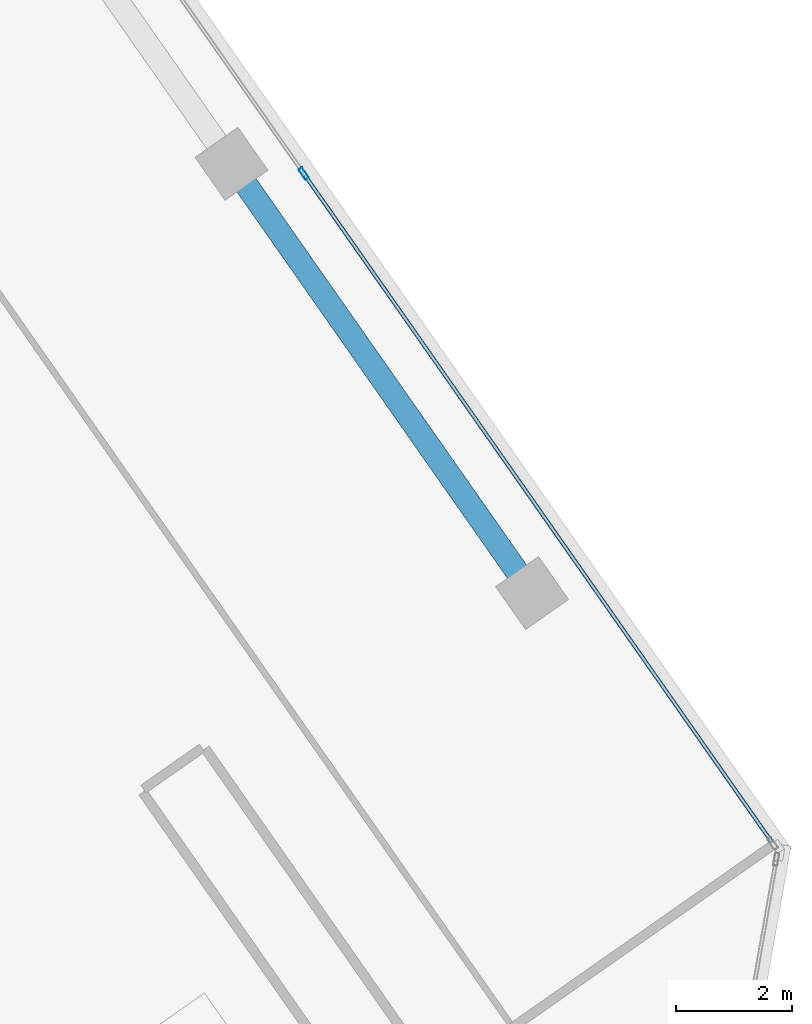
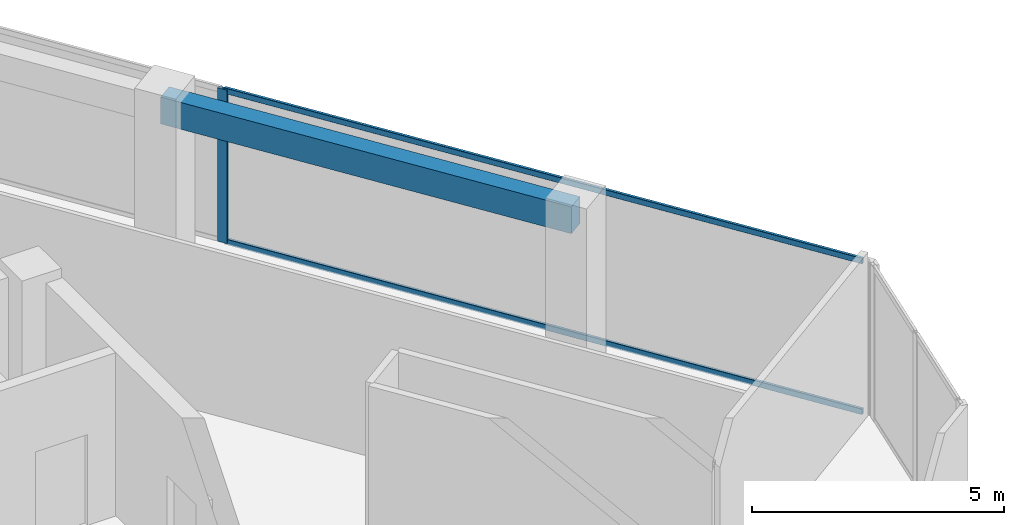
# One storey, part 8 of 17: 3 members, 1 beam, 1 element without a shape of its own.
"""IFC4 building model written with IfcOpenShell, lengths in metres."""

import ifcopenshell
import ifcopenshell.guid

model = None  # the IFC model being written
_history = None  # IfcOwnerHistory: only IFC2X3 demands one
_inside = {}  # id of a spatial element -> (the spatial element, [elements in it])
_under = {}  # id of a project, library or spatial element -> (it, [spatial elements below it])
_declared = {}  # id of a project -> (the project, [libraries it declares])
_typed = {}  # id of a type object -> (the type object, [elements of that type])
_made_of = {}  # id of a material, layer set ... -> (it, [elements and type objects made of it])


def new_model(schema):
    """Start an empty IFC model of exactly this schema.

    Asked for "IFC4X3", IfcOpenShell would pick the latest addendum, in which some entities
    have other attributes; the version numbers below select the first issue.
    IFC2X3 requires an IfcOwnerHistory on every rooted entity: one is made here for all.
    """
    global model, _history
    if schema == "IFC4X3":
        model = ifcopenshell.file(schema_version=(4, 3, 0, 0))
    else:
        model = ifcopenshell.file(schema=schema)
    _inside.clear()
    _under.clear()
    _declared.clear()
    _typed.clear()
    _made_of.clear()
    _history = None
    if model.schema == "IFC2X3":
        org = make("IfcOrganization", Name="unknown")
        user = make(
            "IfcPersonAndOrganization",
            ThePerson=make("IfcPerson", FamilyName="unknown"),
            TheOrganization=org,
        )
        app = make(
            "IfcApplication",
            ApplicationDeveloper=org,
            Version="unknown",
            ApplicationFullName="unknown",
            ApplicationIdentifier="unknown",
        )
        _history = make(
            "IfcOwnerHistory",
            OwningUser=user,
            OwningApplication=app,
            ChangeAction="ADDED",
            CreationDate=0,
        )
    return model


def make(cls, **values):
    """One entity of the class cls with the attributes given. An attribute that is None is left unset."""
    return model.create_entity(
        cls, **{name: value for name, value in values.items() if value is not None}
    )


def rooted(cls, **values):
    """An entity with a GlobalId (a new one), such as an element, a storey or a relation."""
    return make(cls, GlobalId=ifcopenshell.guid.new(), OwnerHistory=_history, **values)


def si_unit(unit_type, name, prefix=None):
    """IfcSIUnit, for example si_unit("LENGTHUNIT", "METRE", prefix="MILLI")."""
    return make("IfcSIUnit", UnitType=unit_type, Prefix=prefix, Name=name)


def assignment(units):
    """IfcUnitAssignment: the units of a project."""
    return None if units is None else make("IfcUnitAssignment", Units=units)


def point(xyz):
    """IfcCartesianPoint."""
    return None if xyz is None else make("IfcCartesianPoint", Coordinates=xyz)


def direction(xyz):
    """IfcDirection."""
    return None if xyz is None else make("IfcDirection", DirectionRatios=xyz)


def frame(location, z_axis=None, x_axis=None):
    """IfcAxis2Placement3D, a coordinate frame: its origin and axes. An axis left out is left unset."""
    return make(
        "IfcAxis2Placement3D",
        Location=point(location),
        Axis=direction(z_axis),
        RefDirection=direction(x_axis),
    )


def frame_2d(location, x_axis=None):
    """IfcAxis2Placement2D, a coordinate frame in the plane: its origin and x axis."""
    return make(
        "IfcAxis2Placement2D", Location=point(location), RefDirection=direction(x_axis)
    )


def origin():
    """The frame at (0, 0, 0) with its axes left unset."""
    return frame((0.0, 0.0, 0.0))


def origin_2d():
    """The frame at (0, 0) in the plane with its x axis left unset."""
    return frame_2d((0.0, 0.0))


def place(relative_to, where):
    """IfcLocalPlacement: puts the frame where relative to a parent placement (None: the world)."""
    return make(
        "IfcLocalPlacement", PlacementRelTo=relative_to, RelativePlacement=where
    )


def context(
    kind, dimensions, precision=None, world=None, true_north=None, identifier=None
):
    """IfcGeometricRepresentationContext, for example the 3D "Model" context."""
    return make(
        "IfcGeometricRepresentationContext",
        ContextIdentifier=identifier,
        ContextType=kind,
        CoordinateSpaceDimension=dimensions,
        Precision=precision,
        WorldCoordinateSystem=world,
        TrueNorth=true_north,
    )


def subcontext(parent, identifier, kind, view, scale=None):
    """IfcGeometricRepresentationSubContext, for example "Body" below "Model"."""
    return make(
        "IfcGeometricRepresentationSubContext",
        ContextIdentifier=identifier,
        ContextType=kind,
        ParentContext=parent,
        TargetScale=scale,
        TargetView=view,
    )


def project(units=None, contexts=None):
    """IfcProject with its units and contexts."""
    return rooted(
        "IfcProject",
        Name="project",
        RepresentationContexts=contexts,
        UnitsInContext=assignment(units),
    )


def spatial(cls, under=None, at=None, **own):
    """A site, building, storey or space (cls), placed at a placement, below another one or the project."""
    s = rooted(cls, ObjectPlacement=at, **own)
    if under is not None:
        _under.setdefault(under.id(), (under, []))[1].append(s)
    return s


def profile(cls, at=None, kind="AREA", **sizes):
    """A parametric profile (cls). Its sizes go by their IFC names, for example OverallWidth=200.0."""
    return make(cls, ProfileType=kind, Position=at, **sizes)


def rectangle(**sizes):
    """IfcRectangleProfileDef."""
    return profile("IfcRectangleProfileDef", **sizes)


def hollow_rectangle(**sizes):
    """IfcRectangleHollowProfileDef."""
    return profile("IfcRectangleHollowProfileDef", **sizes)


def extrude(swept, where, along, depth):
    """IfcExtrudedAreaSolid: the profile swept, set in the frame where, extruded along a direction by depth."""
    return make(
        "IfcExtrudedAreaSolid",
        SweptArea=swept,
        Position=where,
        ExtrudedDirection=direction(along),
        Depth=depth,
    )


def shape(context_of_items, identifier, shape_type, items):
    """IfcShapeRepresentation: the items that make up one representation, for example the "Body"."""
    return make(
        "IfcShapeRepresentation",
        ContextOfItems=context_of_items,
        RepresentationIdentifier=identifier,
        RepresentationType=shape_type,
        Items=items,
    )


def source(mapping_origin, context_of_items, identifier, shape_type, items):
    """IfcRepresentationMap: a shape defined once, which mapped items show again and again."""
    return make(
        "IfcRepresentationMap",
        MappingOrigin=mapping_origin,
        MappedRepresentation=shape(context_of_items, identifier, shape_type, items),
    )


def transform(
    local_origin,
    x_axis=None,
    y_axis=None,
    z_axis=None,
    scale=None,
    scale2=None,
    scale3=None,
    uniform=True,
):
    """IfcCartesianTransformationOperator3D, or its non-uniform kind. x_axis, y_axis, z_axis: its Axis1, 2, 3."""
    if uniform:
        return make(
            "IfcCartesianTransformationOperator3D",
            Axis1=direction(x_axis),
            Axis2=direction(y_axis),
            LocalOrigin=point(local_origin),
            Scale=scale,
            Axis3=direction(z_axis),
        )
    return make(
        "IfcCartesianTransformationOperator3DnonUniform",
        Axis1=direction(x_axis),
        Axis2=direction(y_axis),
        LocalOrigin=point(local_origin),
        Scale=scale,
        Axis3=direction(z_axis),
        Scale2=scale2,
        Scale3=scale3,
    )


def mapped(mapping_source, mapping_target):
    """IfcMappedItem: shows the shape of a source again, moved by a transform."""
    return make(
        "IfcMappedItem", MappingSource=mapping_source, MappingTarget=mapping_target
    )


def material(Name=None, Category=None):
    """IfcMaterial."""
    return make("IfcMaterial", Name=Name, Category=Category)


def material_profile(
    of_material, cross_section, Name=None, Category=None, Priority=None
):
    """IfcMaterialProfile: a cross section and its material."""
    return make(
        "IfcMaterialProfile",
        Name=Name,
        Material=of_material,
        Profile=cross_section,
        Priority=Priority,
        Category=Category,
    )


def profile_set(profiles, Name=None, composite=None):
    """IfcMaterialProfileSet."""
    return make(
        "IfcMaterialProfileSet",
        Name=Name,
        MaterialProfiles=profiles,
        CompositeProfile=composite,
    )


def made_of(thing, what):
    """Note that an element or type object is made of a material, layer set ...; save() writes the relation."""
    if what is not None:
        _made_of.setdefault(what.id(), (what, []))[1].append(thing)
    return thing


def type_object(cls, material=None, **own):
    """A type object (cls), such as IfcWallType, which elements share."""
    return made_of(rooted(cls, **own), material)


def element(
    cls,
    number,
    at=None,
    inside=None,
    cuts=None,
    type_object=None,
    material=None,
    context=None,
    identifier="Body",
    shape_type=None,
    held_by="IfcProductDefinitionShape",
    body=None,
    shapes=None,
    **own,
):
    """One element of the class cls, such as IfcWall. Its Tag is "e" and its number.

    at: its placement. inside: the storey or other place that contains it. cuts: it is an
    opening in that element (IfcRelVoidsElement). A single representation is given by context,
    identifier, shape_type and body (its items); several are given by shapes. held_by: the class
    of the entity that holds the representations. save() writes the other relations.
    """
    e = rooted(cls, Tag="e%d" % number, ObjectPlacement=at, **own)
    if body is not None:
        shapes = [shape(context, identifier, shape_type, body)]
    if shapes is not None:
        e.Representation = make(held_by, Representations=shapes)
    if inside is not None:
        _inside.setdefault(inside.id(), (inside, []))[1].append(e)
    if cuts is not None:
        rooted(
            "IfcRelVoidsElement", RelatingBuildingElement=cuts, RelatedOpeningElement=e
        )
    if type_object is not None:
        _typed.setdefault(type_object.id(), (type_object, []))[1].append(e)
    return made_of(e, material)


def aggregate(whole, parts):
    """IfcRelAggregates: a whole, such as a stair, and the parts it consists of."""
    return rooted("IfcRelAggregates", RelatingObject=whole, RelatedObjects=parts)


def save(model, path):
    """Write the relations noted so far, then the file.

    IfcRelAggregates (storeys below a building ...), IfcRelContainedInSpatialStructure (elements
    in a storey), IfcRelDefinesByType, IfcRelAssociatesMaterial and IfcRelDeclares: one each for
    every whole, place, type object, material and project.
    """
    for whole, parts in _under.values():
        aggregate(whole, parts)
    for where, things in _inside.values():
        rooted(
            "IfcRelContainedInSpatialStructure",
            RelatedElements=things,
            RelatingStructure=where,
        )
    for kind, things in _typed.values():
        rooted("IfcRelDefinesByType", RelatedObjects=things, RelatingType=kind)
    for what, things in _made_of.values():
        rooted("IfcRelAssociatesMaterial", RelatedObjects=things, RelatingMaterial=what)
    for by, libraries in _declared.values():
        rooted("IfcRelDeclares", RelatingContext=by, RelatedDefinitions=libraries)
    model.write(path)


model = new_model("IFC4")

# Units and contexts
model_context = context("Model", 3, precision=1e-05, world=origin(), true_north=direction((0.0, 1.0)))
body_context = subcontext(model_context, "Body", "Model", "MODEL_VIEW")
ifc_project = project(units=[si_unit("LENGTHUNIT", "METRE"), si_unit("AREAUNIT", "SQUARE_METRE"), si_unit("VOLUMEUNIT", "CUBIC_METRE"), si_unit("PLANEANGLEUNIT", "RADIAN"), si_unit("MASSUNIT", "GRAM", prefix="KILO")], contexts=[model_context])

# Site, building, storey
site_placement = place(None, origin())
site = spatial("IfcSite", under=ifc_project, at=site_placement, CompositionType="ELEMENT")
building_placement = place(site_placement, origin())
building = spatial("IfcBuilding", under=site, at=building_placement, Name="Torre Montelarca", CompositionType="ELEMENT")
storey_placement = place(building_placement, frame((0.0, 0.0, 298.800048828125)))
storey = spatial("IfcBuildingStorey", under=building, at=storey_placement, Name="L67", CompositionType="ELEMENT", Elevation=298.800048828125)

# Beam
ifc_material_1 = material(Name="Concrete C40/50", Category="concrete")
ifc_material_profile_1 = material_profile(ifc_material_1, rectangle(XDim=0.39990234375, YDim=0.64990234375, at=origin_2d()), Name="RCB400X650", Category="concrete")
ifc_profile_set_1 = profile_set([ifc_material_profile_1], Name="Concrete C40/50")
beam_type = type_object("IfcBeamType", Name="BM-SP-RC650-EXT", PredefinedType="SPANDREL", material=ifc_profile_set_1)
shared_shape_1 = source(origin(), body_context, "Body", "SweptSolid", [
    extrude(rectangle(XDim=0.39990234375, YDim=0.64990234375, at=origin_2d()), origin(), (0.0, 0.0, 1.0), 9.0),
])
beam_placement = place(storey_placement, frame((31.902587890625, 43.556640625, 3.635009765625), z_axis=(0.573573395961, -0.819154173185, 0.0), x_axis=(0.819154173185, 0.573573395961, 0.0)))
element("IfcBeam", 1, at=beam_placement, inside=storey, type_object=beam_type, Name="L67 Grid Girder X 18.0-27.0 at Y=47.1", PredefinedType="SPANDREL", context=body_context, shape_type="MappedRepresentation", body=[
    mapped(shared_shape_1, transform((0.0, 0.0, 0.0), scale=1.0)),
])

# Curtain wall, members
ifc_material_2 = material(Name="Insulated low-E laminated glass", Category="glass")
curtain_wall_type = type_object("IfcCurtainWallType", Name="CW-SYS-Z4", PredefinedType="USERDEFINED", material=ifc_material_2)
curtain_wall_placement = place(storey_placement, origin())
curtain_wall = element("IfcCurtainWall", 2, at=curtain_wall_placement, inside=storey, type_object=curtain_wall_type, Name="L67 Curtain Wall Run CW-T3-L67-E08-B1", ObjectType="UNITISED GLAZING", PredefinedType="USERDEFINED")
ifc_material_3 = material(Name="Anodised aluminium AA 6063-T6", Category="aluminium")
ifc_material_profile_2 = material_profile(ifc_material_3, hollow_rectangle(XDim=0.074951171875, YDim=0.219970703125, WallThickness=0.0048828125, InnerFilletRadius=0.0048828125, OuterFilletRadius=0.010009765625, at=origin_2d()), Name="ALU75X220X5", Category="aluminium")
ifc_profile_set_2 = profile_set([ifc_material_profile_2], Name="Anodised aluminium AA 6063-T6")
member_type_1 = type_object("IfcMemberType", Name="CWM-ALU220", PredefinedType="MULLION", material=ifc_profile_set_2)
shared_shape_2 = source(origin(), body_context, "Body", "SweptSolid", [
    extrude(hollow_rectangle(XDim=0.074951171875, YDim=0.219970703125, WallThickness=0.0048828125, InnerFilletRadius=0.0048828125, OuterFilletRadius=0.010009765625, at=origin_2d()), origin(), (0.0, 0.0, 1.0), 3.719970703125),
])
member_1_placement = place(storey_placement, frame((33.143798828125, 43.38818359375, 0.0), z_axis=(0.0, 0.0, 1.0), x_axis=(-0.819155860287, -0.573570986503, 0.0)))
member_1 = element("IfcMember", 3, at=member_1_placement, type_object=member_type_1, Name="CW mullion 2", PredefinedType="MULLION", context=body_context, shape_type="MappedRepresentation", body=[
    mapped(shared_shape_2, transform((0.0, 0.0, 0.0), scale=1.0)),
])
ifc_material_profile_3 = material_profile(ifc_material_3, hollow_rectangle(XDim=0.06494140625, YDim=0.139892578125, WallThickness=0.00390625, InnerFilletRadius=0.00390625, OuterFilletRadius=0.008056640625, at=origin_2d()), Name="ALU65X140X4", Category="aluminium")
ifc_profile_set_3 = profile_set([ifc_material_profile_3], Name="Anodised aluminium AA 6063-T6")
member_type_2 = type_object("IfcMemberType", Name="CWT-ALU140", PredefinedType="USERDEFINED", material=ifc_profile_set_3)
shared_shape_3 = source(origin(), body_context, "Body", "SweptSolid", [
    extrude(hollow_rectangle(XDim=0.06494140625, YDim=0.139892578125, WallThickness=0.00390625, InnerFilletRadius=0.00390625, OuterFilletRadius=0.008056640625, at=origin_2d()), origin(), (0.0, 0.0, 1.0), 13.9716796875),
])
member_2_placement = place(storey_placement, frame((41.178955078125, 31.912353515625, 0.032470703125), z_axis=(-0.573564368919, 0.819160493863, 0.0), x_axis=(-0.819160493863, -0.573564368919, 0.0)))
member_2 = element("IfcMember", 4, at=member_2_placement, type_object=member_type_2, Name="CW transom 1.1", ObjectType="TRANSOM", PredefinedType="USERDEFINED", context=body_context, shape_type="MappedRepresentation", body=[
    mapped(shared_shape_3, transform((0.0, 0.0, 0.0), scale=1.0)),
])
member_3_placement = place(storey_placement, frame((41.178955078125, 31.912353515625, 3.6875), z_axis=(-0.573564368919, 0.819160493863, 0.0), x_axis=(-0.819160493863, -0.573564368919, 0.0)))
member_3 = element("IfcMember", 5, at=member_3_placement, type_object=member_type_2, Name="CW transom 1.2", ObjectType="TRANSOM", PredefinedType="USERDEFINED", context=body_context, shape_type="MappedRepresentation", body=[
    mapped(shared_shape_3, transform((0.0, 0.0, 0.0), scale=1.0)),
])
aggregate(curtain_wall, [member_1, member_2, member_3])

save(model, "model.ifc")
